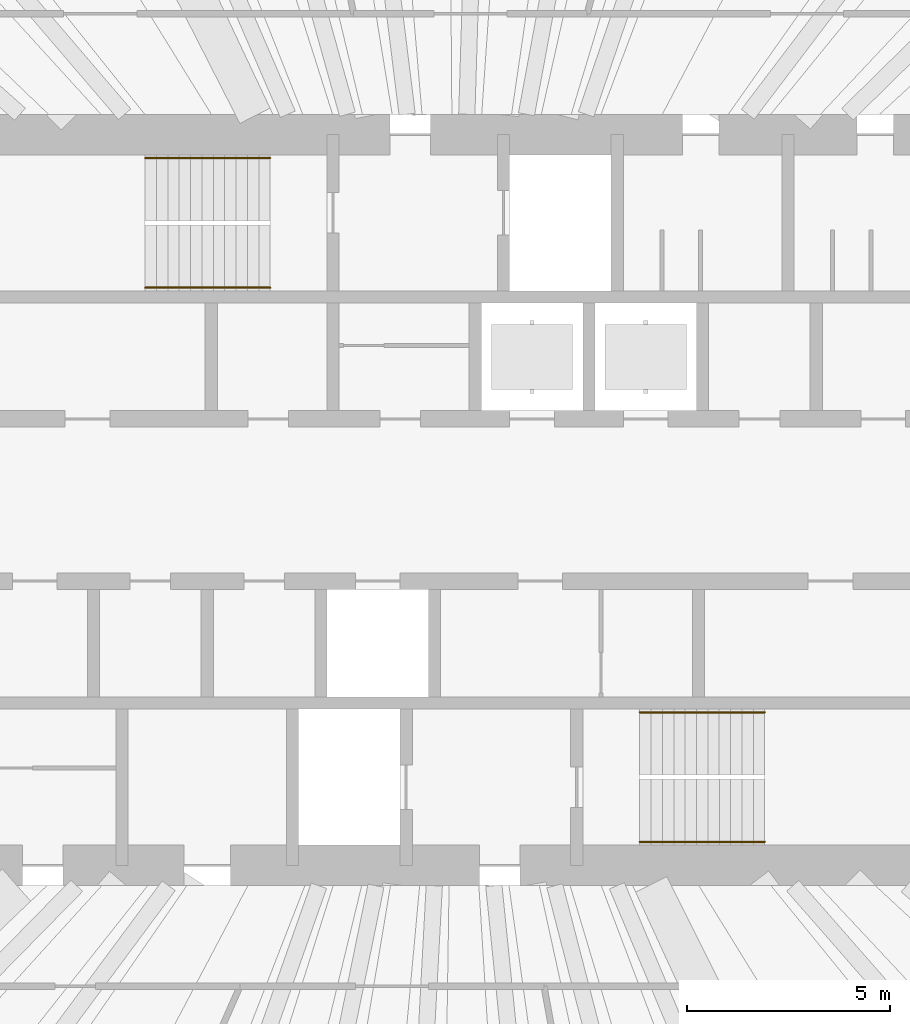
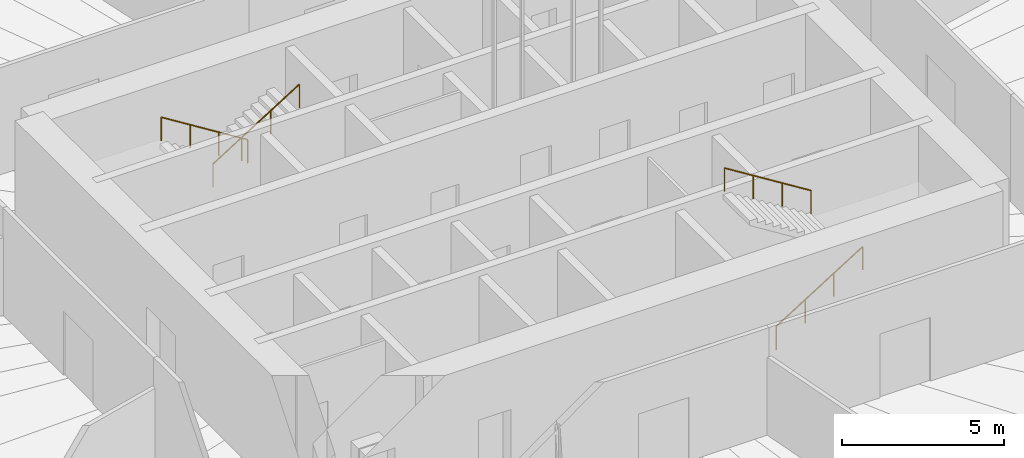
# One storey, part 14 of 19: 4 railings.
"""IFC4 building model written with IfcOpenShell, lengths in metres."""

import ifcopenshell
import ifcopenshell.guid

model = None  # the IFC model being written
_history = None  # IfcOwnerHistory: only IFC2X3 demands one
_inside = {}  # id of a spatial element -> (the spatial element, [elements in it])
_under = {}  # id of a project, library or spatial element -> (it, [spatial elements below it])
_declared = {}  # id of a project -> (the project, [libraries it declares])
_typed = {}  # id of a type object -> (the type object, [elements of that type])
_made_of = {}  # id of a material, layer set ... -> (it, [elements and type objects made of it])


def new_model(schema):
    """Start an empty IFC model of exactly this schema.

    Asked for "IFC4X3", IfcOpenShell would pick the latest addendum, in which some entities
    have other attributes; the version numbers below select the first issue.
    IFC2X3 requires an IfcOwnerHistory on every rooted entity: one is made here for all.
    """
    global model, _history
    if schema == "IFC4X3":
        model = ifcopenshell.file(schema_version=(4, 3, 0, 0))
    else:
        model = ifcopenshell.file(schema=schema)
    _inside.clear()
    _under.clear()
    _declared.clear()
    _typed.clear()
    _made_of.clear()
    _history = None
    if model.schema == "IFC2X3":
        org = make("IfcOrganization", Name="unknown")
        user = make(
            "IfcPersonAndOrganization",
            ThePerson=make("IfcPerson", FamilyName="unknown"),
            TheOrganization=org,
        )
        app = make(
            "IfcApplication",
            ApplicationDeveloper=org,
            Version="unknown",
            ApplicationFullName="unknown",
            ApplicationIdentifier="unknown",
        )
        _history = make(
            "IfcOwnerHistory",
            OwningUser=user,
            OwningApplication=app,
            ChangeAction="ADDED",
            CreationDate=0,
        )
    return model


def make(cls, **values):
    """One entity of the class cls with the attributes given. An attribute that is None is left unset."""
    return model.create_entity(
        cls, **{name: value for name, value in values.items() if value is not None}
    )


def rooted(cls, **values):
    """An entity with a GlobalId (a new one), such as an element, a storey or a relation."""
    return make(cls, GlobalId=ifcopenshell.guid.new(), OwnerHistory=_history, **values)


def si_unit(unit_type, name, prefix=None):
    """IfcSIUnit, for example si_unit("LENGTHUNIT", "METRE", prefix="MILLI")."""
    return make("IfcSIUnit", UnitType=unit_type, Prefix=prefix, Name=name)


def assignment(units):
    """IfcUnitAssignment: the units of a project."""
    return None if units is None else make("IfcUnitAssignment", Units=units)


def point(xyz):
    """IfcCartesianPoint."""
    return None if xyz is None else make("IfcCartesianPoint", Coordinates=xyz)


def direction(xyz):
    """IfcDirection."""
    return None if xyz is None else make("IfcDirection", DirectionRatios=xyz)


def frame(location, z_axis=None, x_axis=None):
    """IfcAxis2Placement3D, a coordinate frame: its origin and axes. An axis left out is left unset."""
    return make(
        "IfcAxis2Placement3D",
        Location=point(location),
        Axis=direction(z_axis),
        RefDirection=direction(x_axis),
    )


def frame_2d(location, x_axis=None):
    """IfcAxis2Placement2D, a coordinate frame in the plane: its origin and x axis."""
    return make(
        "IfcAxis2Placement2D", Location=point(location), RefDirection=direction(x_axis)
    )


def origin():
    """The frame at (0, 0, 0) with its axes left unset."""
    return frame((0.0, 0.0, 0.0))


def origin_2d():
    """The frame at (0, 0) in the plane with its x axis left unset."""
    return frame_2d((0.0, 0.0))


def place(relative_to, where):
    """IfcLocalPlacement: puts the frame where relative to a parent placement (None: the world)."""
    return make(
        "IfcLocalPlacement", PlacementRelTo=relative_to, RelativePlacement=where
    )


def context(
    kind, dimensions, precision=None, world=None, true_north=None, identifier=None
):
    """IfcGeometricRepresentationContext, for example the 3D "Model" context."""
    return make(
        "IfcGeometricRepresentationContext",
        ContextIdentifier=identifier,
        ContextType=kind,
        CoordinateSpaceDimension=dimensions,
        Precision=precision,
        WorldCoordinateSystem=world,
        TrueNorth=true_north,
    )


def subcontext(parent, identifier, kind, view, scale=None):
    """IfcGeometricRepresentationSubContext, for example "Body" below "Model"."""
    return make(
        "IfcGeometricRepresentationSubContext",
        ContextIdentifier=identifier,
        ContextType=kind,
        ParentContext=parent,
        TargetScale=scale,
        TargetView=view,
    )


def project(units=None, contexts=None):
    """IfcProject with its units and contexts."""
    return rooted(
        "IfcProject",
        Name="project",
        RepresentationContexts=contexts,
        UnitsInContext=assignment(units),
    )


def spatial(cls, under=None, at=None, **own):
    """A site, building, storey or space (cls), placed at a placement, below another one or the project."""
    s = rooted(cls, ObjectPlacement=at, **own)
    if under is not None:
        _under.setdefault(under.id(), (under, []))[1].append(s)
    return s


def profile(cls, at=None, kind="AREA", **sizes):
    """A parametric profile (cls). Its sizes go by their IFC names, for example OverallWidth=200.0."""
    return make(cls, ProfileType=kind, Position=at, **sizes)


def circle(**sizes):
    """IfcCircleProfileDef."""
    return profile("IfcCircleProfileDef", **sizes)


def extrude(swept, where, along, depth):
    """IfcExtrudedAreaSolid: the profile swept, set in the frame where, extruded along a direction by depth."""
    return make(
        "IfcExtrudedAreaSolid",
        SweptArea=swept,
        Position=where,
        ExtrudedDirection=direction(along),
        Depth=depth,
    )


def shape(context_of_items, identifier, shape_type, items):
    """IfcShapeRepresentation: the items that make up one representation, for example the "Body"."""
    return make(
        "IfcShapeRepresentation",
        ContextOfItems=context_of_items,
        RepresentationIdentifier=identifier,
        RepresentationType=shape_type,
        Items=items,
    )


def material(Name=None, Category=None):
    """IfcMaterial."""
    return make("IfcMaterial", Name=Name, Category=Category)


def made_of(thing, what):
    """Note that an element or type object is made of a material, layer set ...; save() writes the relation."""
    if what is not None:
        _made_of.setdefault(what.id(), (what, []))[1].append(thing)
    return thing


def type_object(cls, material=None, **own):
    """A type object (cls), such as IfcWallType, which elements share."""
    return made_of(rooted(cls, **own), material)


def element(
    cls,
    number,
    at=None,
    inside=None,
    cuts=None,
    type_object=None,
    material=None,
    context=None,
    identifier="Body",
    shape_type=None,
    held_by="IfcProductDefinitionShape",
    body=None,
    shapes=None,
    **own,
):
    """One element of the class cls, such as IfcWall. Its Tag is "e" and its number.

    at: its placement. inside: the storey or other place that contains it. cuts: it is an
    opening in that element (IfcRelVoidsElement). A single representation is given by context,
    identifier, shape_type and body (its items); several are given by shapes. held_by: the class
    of the entity that holds the representations. save() writes the other relations.
    """
    e = rooted(cls, Tag="e%d" % number, ObjectPlacement=at, **own)
    if body is not None:
        shapes = [shape(context, identifier, shape_type, body)]
    if shapes is not None:
        e.Representation = make(held_by, Representations=shapes)
    if inside is not None:
        _inside.setdefault(inside.id(), (inside, []))[1].append(e)
    if cuts is not None:
        rooted(
            "IfcRelVoidsElement", RelatingBuildingElement=cuts, RelatedOpeningElement=e
        )
    if type_object is not None:
        _typed.setdefault(type_object.id(), (type_object, []))[1].append(e)
    return made_of(e, material)


def aggregate(whole, parts):
    """IfcRelAggregates: a whole, such as a stair, and the parts it consists of."""
    return rooted("IfcRelAggregates", RelatingObject=whole, RelatedObjects=parts)


def save(model, path):
    """Write the relations noted so far, then the file.

    IfcRelAggregates (storeys below a building ...), IfcRelContainedInSpatialStructure (elements
    in a storey), IfcRelDefinesByType, IfcRelAssociatesMaterial and IfcRelDeclares: one each for
    every whole, place, type object, material and project.
    """
    for whole, parts in _under.values():
        aggregate(whole, parts)
    for where, things in _inside.values():
        rooted(
            "IfcRelContainedInSpatialStructure",
            RelatedElements=things,
            RelatingStructure=where,
        )
    for kind, things in _typed.values():
        rooted("IfcRelDefinesByType", RelatedObjects=things, RelatingType=kind)
    for what, things in _made_of.values():
        rooted("IfcRelAssociatesMaterial", RelatedObjects=things, RelatingMaterial=what)
    for by, libraries in _declared.values():
        rooted("IfcRelDeclares", RelatingContext=by, RelatedDefinitions=libraries)
    model.write(path)


model = new_model("IFC4")

# Units and contexts
model_context = context("Model", 3, precision=1e-05, world=origin(), true_north=direction((0.0, 1.0)))
body_context = subcontext(model_context, "Body", "Model", "MODEL_VIEW")
ifc_project = project(units=[si_unit("LENGTHUNIT", "METRE"), si_unit("AREAUNIT", "SQUARE_METRE"), si_unit("VOLUMEUNIT", "CUBIC_METRE"), si_unit("PLANEANGLEUNIT", "RADIAN"), si_unit("MASSUNIT", "GRAM", prefix="KILO")], contexts=[model_context])

# Site, building, storey
site_placement = place(None, origin())
site = spatial("IfcSite", under=ifc_project, at=site_placement, CompositionType="ELEMENT")
building_placement = place(site_placement, origin())
building = spatial("IfcBuilding", under=site, at=building_placement, Name="Qingtian Harvest Tower", CompositionType="ELEMENT")
storey_placement = place(building_placement, frame((0.0, 0.0, 262.0)))
storey = spatial("IfcBuildingStorey", under=building, at=storey_placement, Name="L57", CompositionType="ELEMENT", Elevation=262.0)

# Railings
ifc_material = material(Name="Stainless steel handrail", Category="steel")
railing_type = type_object("IfcRailingType", Name="Handrail HR1", PredefinedType="HANDRAIL", material=ifc_material)
railing_1_placement = place(storey_placement, frame((-4.550048828125, 8.419921875, 0.175048828125)))
element("IfcRailing", 1, at=railing_1_placement, inside=storey, type_object=railing_type, Name="Handrail HR1 S1 flight 1", PredefinedType="HANDRAIL", context=body_context, shape_type="SweptSolid", body=[
    extrude(circle(Radius=0.02392578125, at=origin_2d()), frame((0.0, 0.0, 0.8759765625), z_axis=(-0.847979421464, 0.0, 0.530029150871), x_axis=(0.0, -1.0, 0.0)), (0.0, 0.0, 1.0), 3.632080078125),
    extrude(circle(Radius=0.02099609375, at=origin_2d()), origin(), (0.0, 0.0, 1.0), 0.851806640625),
    extrude(circle(Radius=0.02099609375, at=origin_2d()), frame((-1.026611328125, 0.0, 0.6416015625)), (0.0, 0.0, 1.0), 0.851806640625),
    extrude(circle(Radius=0.02099609375, at=origin_2d()), frame((-2.05322265625, 0.0, 1.283447265625)), (0.0, 0.0, 1.0), 0.851806640625),
    extrude(circle(Radius=0.02099609375, at=origin_2d()), frame((-3.079833984375, 0.0, 1.925048828125)), (0.0, 0.0, 1.0), 0.851806640625),
])
for number, where, name in (
    (2, (-7.6298828125, 5.22998046875, 2.27490234375), "Handrail HR1 S1 flight 2"),
    (3, (4.550048828125, -8.419921875, 0.175048828125), "Handrail HR1 S2 flight 1"),
):
    element("IfcRailing", number, at=place(storey_placement, frame(where)), inside=storey, type_object=railing_type, Name=name, PredefinedType="HANDRAIL", context=body_context, shape_type="SweptSolid", body=[
        extrude(circle(Radius=0.02392578125, at=origin_2d()), frame((0.0, 0.0, 0.8759765625), z_axis=(0.847979421464, 0.0, 0.530029150871), x_axis=(0.0, 1.0, 0.0)), (0.0, 0.0, 1.0), 3.632080078125),
        extrude(circle(Radius=0.02099609375, at=origin_2d()), origin(), (0.0, 0.0, 1.0), 0.851806640625),
        extrude(circle(Radius=0.02099609375, at=origin_2d()), frame((1.026611328125, 0.0, 0.6416015625)), (0.0, 0.0, 1.0), 0.851806640625),
        extrude(circle(Radius=0.02099609375, at=origin_2d()), frame((2.05322265625, 0.0, 1.283447265625)), (0.0, 0.0, 1.0), 0.851806640625),
        extrude(circle(Radius=0.02099609375, at=origin_2d()), frame((3.079833984375, 0.0, 1.925048828125)), (0.0, 0.0, 1.0), 0.851806640625),
    ])
railing_2_placement = place(storey_placement, frame((7.6298828125, -5.22998046875, 2.27490234375)))
element("IfcRailing", 4, at=railing_2_placement, inside=storey, type_object=railing_type, Name="Handrail HR1 S2 flight 2", PredefinedType="HANDRAIL", context=body_context, shape_type="SweptSolid", body=[
    extrude(circle(Radius=0.02392578125, at=origin_2d()), frame((0.0, 0.0, 0.8759765625), z_axis=(-0.847979421464, 0.0, 0.530029150871), x_axis=(0.0, -1.0, 0.0)), (0.0, 0.0, 1.0), 3.632080078125),
    extrude(circle(Radius=0.02099609375, at=origin_2d()), origin(), (0.0, 0.0, 1.0), 0.851806640625),
    extrude(circle(Radius=0.02099609375, at=origin_2d()), frame((-1.026611328125, 0.0, 0.6416015625)), (0.0, 0.0, 1.0), 0.851806640625),
    extrude(circle(Radius=0.02099609375, at=origin_2d()), frame((-2.05322265625, 0.0, 1.283447265625)), (0.0, 0.0, 1.0), 0.851806640625),
    extrude(circle(Radius=0.02099609375, at=origin_2d()), frame((-3.079833984375, 0.0, 1.925048828125)), (0.0, 0.0, 1.0), 0.851806640625),
])

save(model, "model.ifc")
